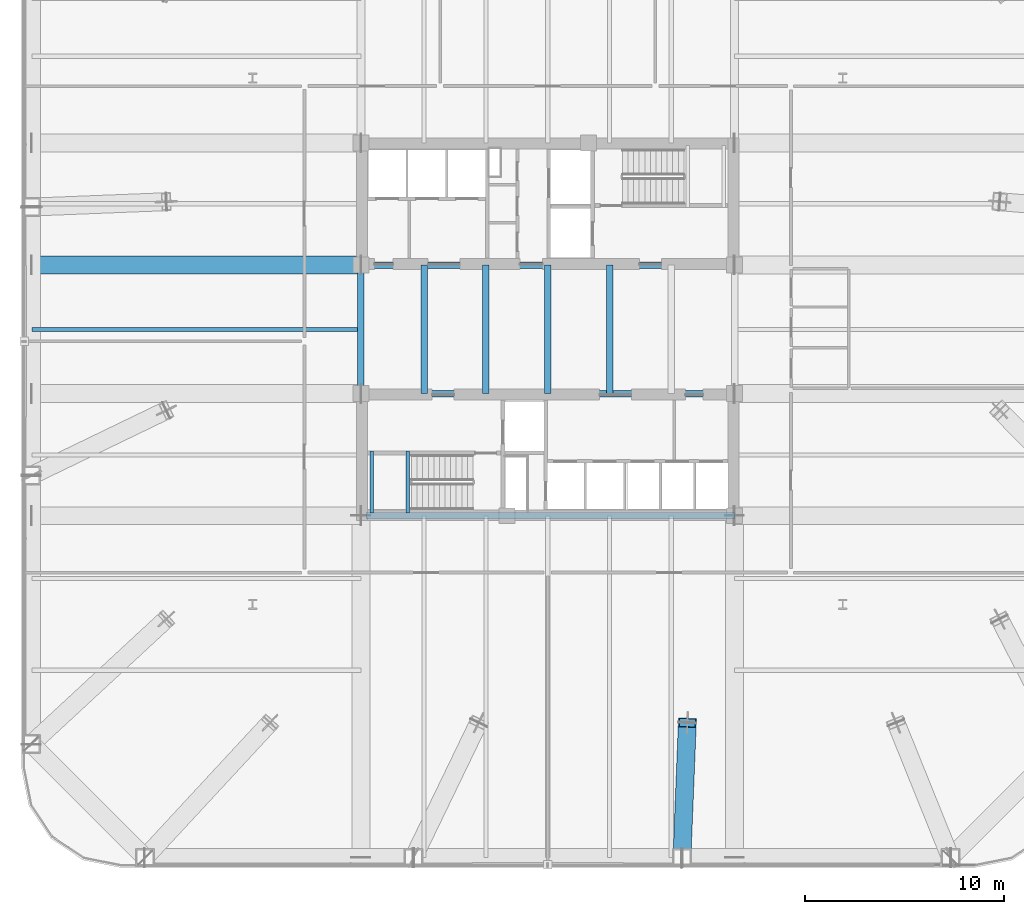
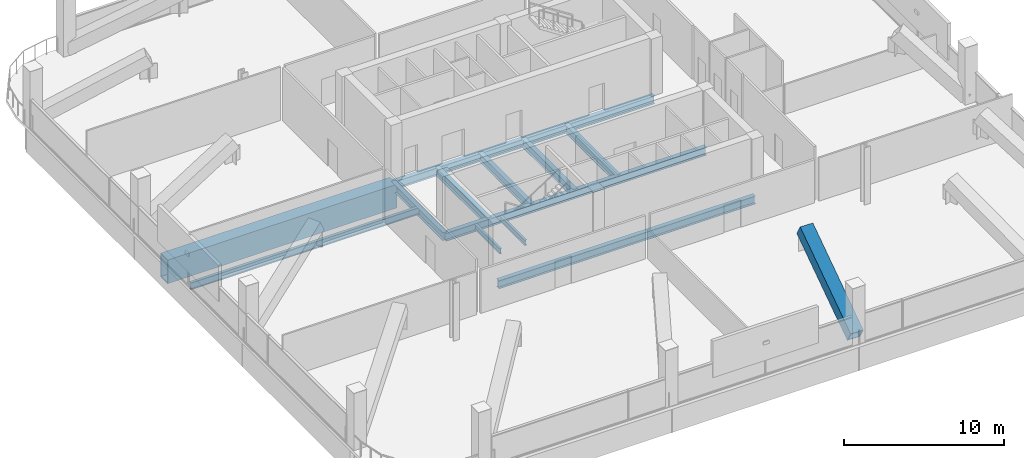
# One storey, part 9 of 38: 12 beams, 1 member.
"""IFC4 building model written with IfcOpenShell, lengths in metres."""

from ifc_helpers import new_model, si_unit, direction, frame, origin, origin_2d, place, context, subcontext, project, spatial, hollow_rectangle, i_section, extrude, material, material_profile, profile_set, type_object, element, save


model = new_model("IFC4")

# Units and contexts
model_context = context("Model", 3, precision=1e-05, world=origin(), true_north=direction((0.0, 1.0)))
body_context = subcontext(model_context, "Body", "Model", "MODEL_VIEW")
ifc_project = project(units=[si_unit("LENGTHUNIT", "METRE"), si_unit("AREAUNIT", "SQUARE_METRE"), si_unit("VOLUMEUNIT", "CUBIC_METRE"), si_unit("PLANEANGLEUNIT", "RADIAN"), si_unit("MASSUNIT", "GRAM", prefix="KILO")], contexts=[model_context])

# Site, building, storey
site_placement = place(None, origin())
site = spatial("IfcSite", under=ifc_project, at=site_placement, CompositionType="ELEMENT")
building_placement = place(site_placement, origin())
building = spatial("IfcBuilding", under=site, at=building_placement, Name="Qhalaya Broadcast Tower", CompositionType="ELEMENT")
storey_placement = place(building_placement, frame((0.0, 0.0, 53.550048828125)))
storey = spatial("IfcBuildingStorey", under=building, at=storey_placement, Name="L15", CompositionType="ELEMENT", Elevation=53.550048828125)

# Beams
ifc_material_1 = material(Name="Structural Steel ASTM A572 Grade 50", Category="steel")
ifc_material_profile_1 = material_profile(ifc_material_1, hollow_rectangle(XDim=0.89990234375, YDim=1.800048828125, WallThickness=0.06005859375, at=origin_2d()), Name="BOX 900x1800x60")
ifc_profile_set_1 = profile_set([ifc_material_profile_1], Name="Structural Steel ASTM A572 Grade 50")
beam_type_1 = type_object("IfcBeamType", Name="Block Cantilever Transfer Box Girder TG1", PredefinedType="USERDEFINED", material=ifc_profile_set_1)
beam_1_placement = place(storey_placement, frame((-25.8798828125, 3.824951171875, -1.1201171875), z_axis=(1.0, 0.0, 0.0), x_axis=(0.0, 1.0, 0.0)))
element("IfcBeam", 1, at=beam_1_placement, inside=storey, type_object=beam_type_1, Name="L15 TG1 L15-PGYW3-1", ObjectType="GIRDER", PredefinedType="USERDEFINED", context=body_context, shape_type="SweptSolid", body=[
    extrude(hollow_rectangle(XDim=0.89990234375, YDim=1.800048828125, WallThickness=0.06005859375, at=origin_2d()), origin(), (0.0, 0.0, 1.0), 16.5048828125),
])
ifc_material_2 = material(Name="Structural Steel ASTM A992 Grade 50", Category="steel")
ifc_material_profile_2 = material_profile(ifc_material_2, i_section(OverallWidth=0.2099609375, OverallDepth=0.535888671875, WebThickness=0.010986328125, FlangeThickness=0.017333984375, at=origin_2d()), Name="W21X68")
ifc_profile_set_2 = profile_set([ifc_material_profile_2], Name="Structural Steel ASTM A992 Grade 50")
beam_type_2 = type_object("IfcBeamType", Name="Composite Floor Joist J02", PredefinedType="JOIST", material=ifc_profile_set_2)
beam_2_placement = place(storey_placement, frame((-25.8798828125, 0.60009765625, -0.488037109375), z_axis=(1.0, 0.0, 0.0), x_axis=(0.0, 1.0, 0.0)))
element("IfcBeam", 2, at=beam_2_placement, inside=storey, type_object=beam_type_2, Name="L15 J02 L15-JWE4W-1", PredefinedType="JOIST", context=body_context, shape_type="SweptSolid", body=[
    extrude(i_section(OverallWidth=0.2099609375, OverallDepth=0.535888671875, WebThickness=0.010986328125, FlangeThickness=0.017333984375, at=origin_2d()), origin(), (0.0, 0.0, 1.0), 16.5048828125),
])
ifc_material_profile_3 = material_profile(ifc_material_2, i_section(OverallWidth=0.323974609375, OverallDepth=0.612060546875, WebThickness=0.0126953125, FlangeThickness=0.01904296875, at=origin_2d()), Name="W24X104")
ifc_profile_set_3 = profile_set([ifc_material_profile_3], Name="Structural Steel ASTM A992 Grade 50")
beam_type_3 = type_object("IfcBeamType", Name="Core Frame Tie Beam B04", PredefinedType="BEAM", material=ifc_profile_set_3)
for number, where, z_axis, x_axis, name in (
    (3, (-9.375, 3.824951171875, -0.526123046875), (1.0, 0.0, 0.0), (0.0, 1.0, 0.0), "L15 B04 L15-CCN1"),
    (4, (-9.375, -2.625, -0.526123046875), (1.0, 0.0, 0.0), (0.0, 1.0, 0.0), "L15 B04 L15-CCS1"),
):
    element("IfcBeam", number, at=place(storey_placement, frame(where, z_axis=z_axis, x_axis=x_axis)), inside=storey, type_object=beam_type_3, Name=name, PredefinedType="BEAM", context=body_context, shape_type="SweptSolid", body=[
        extrude(i_section(OverallWidth=0.323974609375, OverallDepth=0.612060546875, WebThickness=0.0126953125, FlangeThickness=0.01904296875, at=origin_2d()), origin(), (0.0, 0.0, 1.0), 18.75),
    ])
beam_3_placement = place(storey_placement, frame((-9.1201171875, -8.75, -0.526123046875), z_axis=(1.0, 0.0, 0.0), x_axis=(0.0, 1.0, 0.0)))
element("IfcBeam", 5, at=beam_3_placement, inside=storey, type_object=beam_type_3, Name="L15 B04 L15-CCS3", PredefinedType="BEAM", context=body_context, shape_type="SweptSolid", body=[
    extrude(i_section(OverallWidth=0.323974609375, OverallDepth=0.612060546875, WebThickness=0.0126953125, FlangeThickness=0.01904296875, at=origin_2d()), origin(), (0.0, 0.0, 1.0), 18.4951171875),
])
for number, where, z_axis, x_axis, name in (
    (6, (-9.375, -2.625, -0.526123046875), (0.0, 1.0, 0.0), (-1.0, 0.0, 0.0), "L15 B04 L15-CCW"),
    (7, (-6.199951171875, -2.625, -0.526123046875), (0.0, 1.0, 0.0), (-1.0, 0.0, 0.0), "L15 B04 L15-JC1-1"),
    (8, (-3.10009765625, -2.625, -0.526123046875), (0.0, 1.0, 0.0), (-1.0, 0.0, 0.0), "L15 B04 L15-JC2-1"),
    (9, (0.0, -2.625, -0.526123046875), (0.0, 1.0, 0.0), (-1.0, 0.0, 0.0), "L15 B04 L15-JC3-1"),
    (10, (3.10009765625, -2.625, -0.526123046875), (0.0, 1.0, 0.0), (-1.0, 0.0, 0.0), "L15 B04 L15-JC4-1"),
):
    element("IfcBeam", number, at=place(storey_placement, frame(where, z_axis=z_axis, x_axis=x_axis)), inside=storey, type_object=beam_type_3, Name=name, PredefinedType="BEAM", context=body_context, shape_type="SweptSolid", body=[
        extrude(i_section(OverallWidth=0.323974609375, OverallDepth=0.612060546875, WebThickness=0.0126953125, FlangeThickness=0.01904296875, at=origin_2d()), origin(), (0.0, 0.0, 1.0), 6.449951171875),
    ])

# Member
ifc_material_profile_4 = material_profile(ifc_material_1, hollow_rectangle(XDim=0.89990234375, YDim=0.89990234375, WallThickness=0.054931640625, at=origin_2d()), Name="BOX 900x900x55")
ifc_profile_set_4 = profile_set([ifc_material_profile_4], Name="Structural Steel ASTM A572 Grade 50")
member_type = type_object("IfcMemberType", Name="Heavy Exoskeleton Transfer Strut RK1", PredefinedType="BRACE", material=ifc_profile_set_4)
member_placement = place(storey_placement, frame((6.7333984375, -25.89990234375, 0.398681640625), z_axis=(0.034426641766, 0.86315621715, 0.503761998498), x_axis=(-0.999205556994, 0.039852915472, 0.0)))
element("IfcMember", 11, at=member_placement, inside=storey, type_object=member_type, Name="L15 Inclined Exoskeleton Transfer Strut 03", PredefinedType="BRACE", context=body_context, shape_type="SweptSolid", body=[
    extrude(hollow_rectangle(XDim=0.89990234375, YDim=0.89990234375, WallThickness=0.054931640625, at=origin_2d()), origin(), (0.0, 0.0, 1.0), 7.84326171875),
])

# Beams
ifc_material_profile_5 = material_profile(ifc_material_2, i_section(OverallWidth=0.177978515625, OverallDepth=0.406005859375, WebThickness=0.0078125, FlangeThickness=0.0126953125, at=origin_2d()), Name="W16X40")
ifc_profile_set_5 = profile_set([ifc_material_profile_5], Name="Structural Steel ASTM A992 Grade 50")
beam_type_4 = type_object("IfcBeamType", Name="Upper Perimeter Spandrel Beam SP2", PredefinedType="SPANDREL", material=ifc_profile_set_5)
for number, where, z_axis, x_axis, name in (
    (12, (-8.830078125, -8.6201171875, 1.77197265625), (0.0, 1.0, 0.0), (-1.0, 0.0, 0.0), "L15 ST-2 Half-Landing Bearer Beam 1"),
    (13, (-7.014892578125, -8.6201171875, 1.77197265625), (0.0, 1.0, 0.0), (-1.0, 0.0, 0.0), "L15 ST-2 Half-Landing Bearer Beam 2"),
):
    element("IfcBeam", number, at=place(storey_placement, frame(where, z_axis=z_axis, x_axis=x_axis)), inside=storey, type_object=beam_type_4, Name=name, PredefinedType="SPANDREL", context=body_context, shape_type="SweptSolid", body=[
        extrude(i_section(OverallWidth=0.177978515625, OverallDepth=0.406005859375, WebThickness=0.0078125, FlangeThickness=0.0126953125, at=origin_2d()), origin(), (0.0, 0.0, 1.0), 3.1201171875),
    ])

save(model, "model.ifc")
